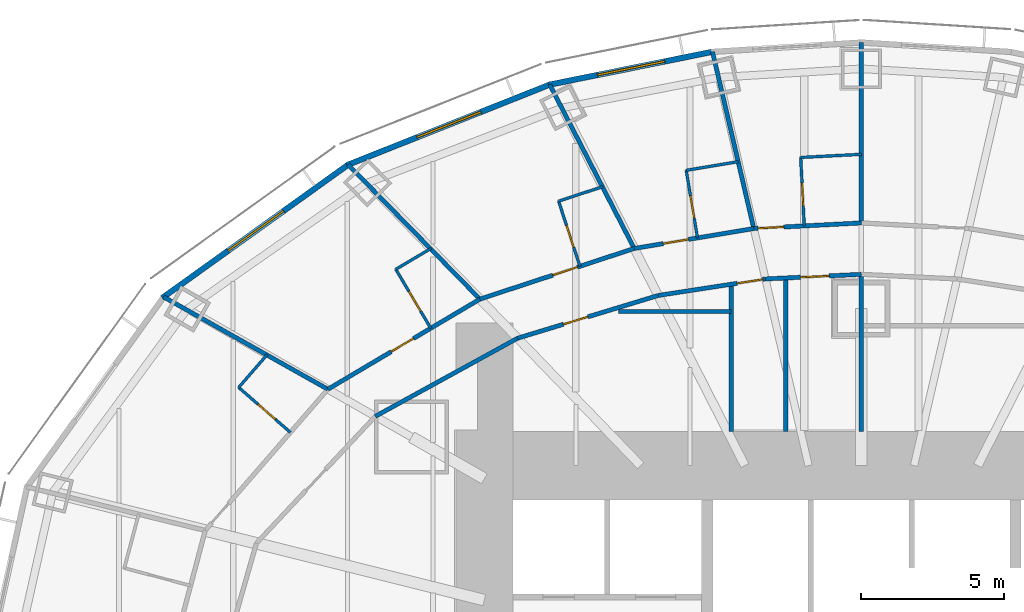
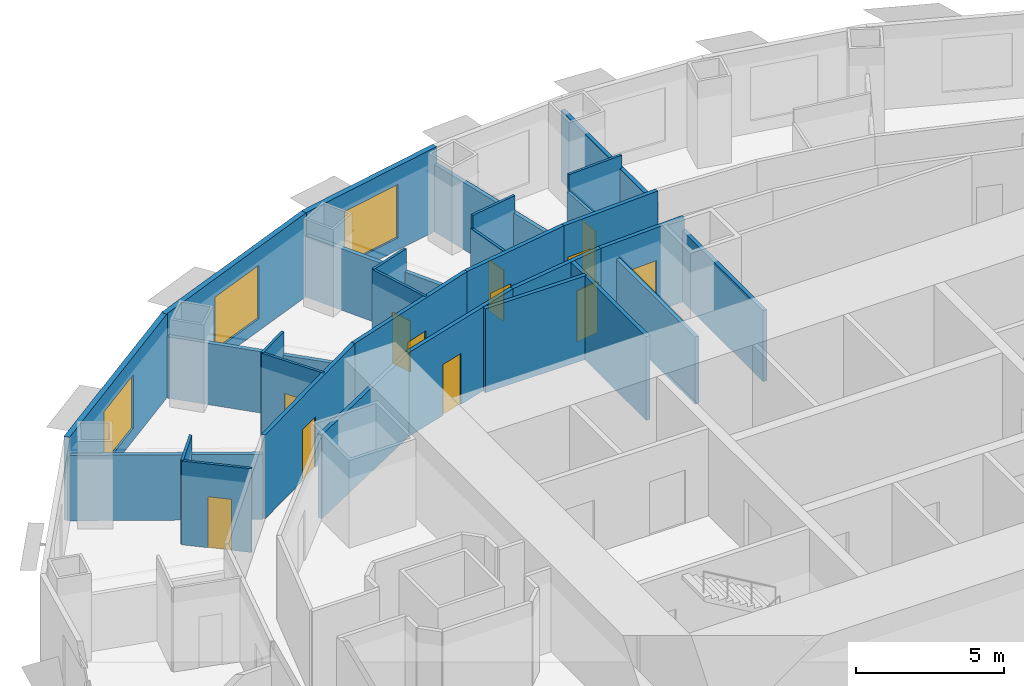
# One storey, part 9 of 15: 30 walls, 12 doors, 3 windows, 15 openings.
"""IFC4 building model written with IfcOpenShell, lengths in metres."""

from ifc_helpers import new_model, si_unit, direction, frame, frame_2d, origin, place, context, subcontext, project, spatial, rectangle, extrude, material, layer, layer_set, type_object, element, fill, save


model = new_model("IFC4")

# Units and contexts
model_context = context("Model", 3, precision=1e-05, world=origin(), true_north=direction((0.0, 1.0)))
body_context = subcontext(model_context, "Body", "Model", "MODEL_VIEW")
ifc_project = project(units=[si_unit("LENGTHUNIT", "METRE"), si_unit("AREAUNIT", "SQUARE_METRE"), si_unit("VOLUMEUNIT", "CUBIC_METRE"), si_unit("PLANEANGLEUNIT", "RADIAN"), si_unit("MASSUNIT", "GRAM", prefix="KILO")], contexts=[model_context])

# Site, building, storey
site_placement = place(None, origin())
site = spatial("IfcSite", under=ifc_project, at=site_placement, CompositionType="ELEMENT")
building_placement = place(site_placement, origin())
building = spatial("IfcBuilding", under=site, at=building_placement, Name="Lantaw Convention Tower", CompositionType="ELEMENT")
storey_placement = place(building_placement, frame((0.0, 0.0, 58.60009765625)))
storey = spatial("IfcBuildingStorey", under=building, at=storey_placement, Name="L12", CompositionType="ELEMENT", Elevation=58.60009765625)

# Walls
ifc_material_1 = material(Name="Gypsum board on steel studs", Category="steel")
ifc_layer_1 = layer(ifc_material_1, 0.14990234375)
ifc_layer_set_1 = layer_set([ifc_layer_1], Name="Back of house wall 150")
wall_type_1 = type_object("IfcWallType", Name="Back of house wall 150", PredefinedType="PARTITIONING", material=ifc_layer_set_1)
wall_1_placement = place(storey_placement, frame((0.0, 9.199951171875, 0.0), z_axis=(0.0, 0.0, 1.0), x_axis=(0.0, 1.0, 0.0)))
element("IfcWall", 1, at=wall_1_placement, inside=storey, type_object=wall_type_1, Name="Back of house wall 150", PredefinedType="PARTITIONING", context=body_context, shape_type="SweptSolid", body=[
    extrude(rectangle(XDim=5.5, YDim=0.14990234375, at=frame_2d((2.75, 0.0))), origin(), (0.0, 0.0, 1.0), 2.924072265625),
])
wall_2_placement = place(storey_placement, frame((-4.56005859375, 13.39990234375, 0.0), z_axis=(0.0, 0.0, 1.0), x_axis=(-1.0, 0.0, 0.0)))
element("IfcWall", 2, at=wall_2_placement, inside=storey, type_object=wall_type_1, Name="Back of house wall 150", PredefinedType="PARTITIONING", context=body_context, shape_type="SweptSolid", body=[
    extrude(rectangle(XDim=3.947509765625, YDim=0.14990234375, at=frame_2d((1.9736328125, 0.0))), origin(), (0.0, 0.0, 1.0), 3.449951171875),
])

# Wall, opening, door
ifc_material_2 = material(Name="Moisture resistant gypsum board on steel studs", Category="steel")
ifc_layer_2 = layer(ifc_material_2, 0.10009765625)
ifc_layer_set_2 = layer_set([ifc_layer_2], Name="Bathroom wall 100")
wall_type_2 = type_object("IfcWallType", Name="Bathroom wall 100", PredefinedType="PARTITIONING", material=ifc_layer_set_2)
wall_3_placement = place(storey_placement, frame((-1.997314453125, 16.39599609375, 0.0), z_axis=(0.0, 0.0, 1.0), x_axis=(-0.051982187452, 0.998648012158, 0.0)))
wall_3 = element("IfcWall", 3, at=wall_3_placement, inside=storey, type_object=wall_type_2, Name="Bathroom wall 100", PredefinedType="PARTITIONING", context=body_context, shape_type="SweptSolid", body=[
    extrude(rectangle(XDim=2.39990234375, YDim=0.10009765625, at=frame_2d((1.199951171875, 0.0))), origin(), (0.0, 0.0, 1.0), 2.748779296875),
])
opening_1_placement = place(wall_3_placement, frame((0.699951171875, 0.0, 0.0)))
opening_1 = element("IfcOpeningElement", 4, at=opening_1_placement, cuts=wall_3, Name="Opening L12.31", PredefinedType="OPENING", context=body_context, shape_type="SweptSolid", body=[
    extrude(rectangle(XDim=0.800048828125, YDim=2.10009765625, at=frame_2d((0.39990234375, 1.050048828125))), frame((0.0, 0.06005859375, 0.0), z_axis=(0.0, -1.0, 0.0), x_axis=(1.0, 0.0, 0.0)), (0.0, 0.0, 1.0), 0.1201171875),
])
ifc_material_3 = material(Name="Timber", Category="wood")
door_type_1 = type_object("IfcDoorType", Name="Bathroom door 800", OperationType="SINGLE_SWING_LEFT", PredefinedType="DOOR", material=ifc_material_3)
door_1_placement = place(opening_1_placement, origin())
door_1 = element("IfcDoor", 5, at=door_1_placement, inside=storey, type_object=door_type_1, Name="Bathroom door", OperationType="SINGLE_SWING_LEFT", OverallHeight=2.10009765625, OverallWidth=0.800048828125, PredefinedType="DOOR", context=body_context, shape_type="SweptSolid", body=[
    extrude(rectangle(XDim=0.800048828125, YDim=2.10009765625, at=frame_2d((0.39990234375, 1.050048828125))), frame((0.0, 0.02490234375, 0.0), z_axis=(0.0, -1.0, 0.0), x_axis=(1.0, 0.0, 0.0)), (0.0, 0.0, 1.0), 0.050048828125),
])
fill(opening_1, door_1)

# Wall
wall_4_placement = place(storey_placement, frame((-2.1220703125, 18.792724609375, 0.0), z_axis=(0.0, 0.0, 1.0), x_axis=(0.998644675281, 0.052046253785, 0.0)))
element("IfcWall", 6, at=wall_4_placement, inside=storey, type_object=wall_type_2, Name="Bathroom wall 100", PredefinedType="PARTITIONING", context=body_context, shape_type="SweptSolid", body=[
    extrude(rectangle(XDim=2.125, YDim=0.10009765625, at=frame_2d((1.0625, 0.0))), origin(), (0.0, 0.0, 1.0), 3.449951171875),
])

# Wall, opening, door
wall_5_placement = place(storey_placement, frame((-5.73681640625, 15.9755859375, 0.0), z_axis=(0.0, 0.0, 1.0), x_axis=(-0.164283516215, 0.986413162067, 0.0)))
wall_5 = element("IfcWall", 7, at=wall_5_placement, inside=storey, type_object=wall_type_2, Name="Bathroom wall 100", PredefinedType="PARTITIONING", context=body_context, shape_type="SweptSolid", body=[
    extrude(rectangle(XDim=2.400146484375, YDim=0.10009765625, at=frame_2d((1.2001953125, 0.0))), origin(), (0.0, 0.0, 1.0), 2.9140625),
])
opening_2_placement = place(wall_5_placement, frame((0.699951171875, 0.0, 0.0)))
opening_2 = element("IfcOpeningElement", 8, at=opening_2_placement, cuts=wall_5, Name="Opening L12.33", PredefinedType="OPENING", context=body_context, shape_type="SweptSolid", body=[
    extrude(rectangle(XDim=0.800048828125, YDim=2.10009765625, at=frame_2d((0.39990234375, 1.050048828125))), frame((0.0, 0.06005859375, 0.0), z_axis=(0.0, -1.0, 0.0), x_axis=(1.0, 0.0, 0.0)), (0.0, 0.0, 1.0), 0.1201171875),
])
door_2_placement = place(opening_2_placement, origin())
door_2 = element("IfcDoor", 9, at=door_2_placement, inside=storey, type_object=door_type_1, Name="Bathroom door", OperationType="SINGLE_SWING_LEFT", OverallHeight=2.10009765625, OverallWidth=0.800048828125, PredefinedType="DOOR", context=body_context, shape_type="SweptSolid", body=[
    extrude(rectangle(XDim=0.800048828125, YDim=2.10009765625, at=frame_2d((0.39990234375, 1.050048828125))), frame((0.0, 0.02490234375, 0.0), z_axis=(0.0, -1.0, 0.0), x_axis=(1.0, 0.0, 0.0)), (0.0, 0.0, 1.0), 0.050048828125),
])
fill(opening_2, door_2)

# Wall
wall_6_placement = place(storey_placement, frame((-6.131103515625, 18.343017578125, 0.0), z_axis=(0.0, 0.0, 1.0), x_axis=(0.986429542706, 0.164185131106, 0.0)))
element("IfcWall", 10, at=wall_6_placement, inside=storey, type_object=wall_type_2, Name="Bathroom wall 100", PredefinedType="PARTITIONING", context=body_context, shape_type="SweptSolid", body=[
    extrude(rectangle(XDim=1.851318359375, YDim=0.10009765625, at=frame_2d((0.92578125, 0.0))), origin(), (0.0, 0.0, 1.0), 3.449951171875),
])

# Wall, opening, door
wall_7_placement = place(storey_placement, frame((-9.852294921875, 14.98291015625, 0.0), z_axis=(0.0, 0.0, 1.0), x_axis=(-0.311890952591, 0.950117905153, 0.0)))
wall_7 = element("IfcWall", 11, at=wall_7_placement, inside=storey, type_object=wall_type_2, Name="Bathroom wall 100", PredefinedType="PARTITIONING", context=body_context, shape_type="SweptSolid", body=[
    extrude(rectangle(XDim=2.39990234375, YDim=0.10009765625, at=frame_2d((1.199951171875, 0.0))), origin(), (0.0, 0.0, 1.0), 3.449951171875),
])
opening_3_placement = place(wall_7_placement, frame((0.699951171875, 0.0, 0.0)))
opening_3 = element("IfcOpeningElement", 12, at=opening_3_placement, cuts=wall_7, Name="Opening L12.35", PredefinedType="OPENING", context=body_context, shape_type="SweptSolid", body=[
    extrude(rectangle(XDim=0.800048828125, YDim=2.10009765625, at=frame_2d((0.39990234375, 1.050048828125))), frame((0.0, 0.06005859375, 0.0), z_axis=(0.0, -1.0, 0.0), x_axis=(1.0, 0.0, 0.0)), (0.0, 0.0, 1.0), 0.1201171875),
])
door_3_placement = place(opening_3_placement, origin())
door_3 = element("IfcDoor", 13, at=door_3_placement, inside=storey, type_object=door_type_1, Name="Bathroom door", OperationType="SINGLE_SWING_LEFT", OverallHeight=2.10009765625, OverallWidth=0.800048828125, PredefinedType="DOOR", context=body_context, shape_type="SweptSolid", body=[
    extrude(rectangle(XDim=0.800048828125, YDim=2.10009765625, at=frame_2d((0.39990234375, 1.050048828125))), frame((0.0, 0.02490234375, 0.0), z_axis=(0.0, -1.0, 0.0), x_axis=(1.0, 0.0, 0.0)), (0.0, 0.0, 1.0), 0.050048828125),
])
fill(opening_3, door_3)

# Wall
wall_8_placement = place(storey_placement, frame((-10.600830078125, 17.26318359375, 0.0), z_axis=(0.0, 0.0, 1.0), x_axis=(0.950113706819, 0.311903741746, 0.0)))
element("IfcWall", 14, at=wall_8_placement, inside=storey, type_object=wall_type_2, Name="Bathroom wall 100", PredefinedType="PARTITIONING", context=body_context, shape_type="SweptSolid", body=[
    extrude(rectangle(XDim=1.62744140625, YDim=0.10009765625, at=frame_2d((0.813720703125, 0.0))), origin(), (0.0, 0.0, 1.0), 3.449951171875),
])

# Wall, opening, door
wall_9_placement = place(storey_placement, frame((-15.07763671875, 12.81201171875, 0.0), z_axis=(0.0, 0.0, 1.0), x_axis=(-0.510075642074, 0.860129548012, 0.0)))
wall_9 = element("IfcWall", 15, at=wall_9_placement, inside=storey, type_object=wall_type_2, Name="Bathroom wall 100", PredefinedType="PARTITIONING", context=body_context, shape_type="SweptSolid", body=[
    extrude(rectangle(XDim=2.39990234375, YDim=0.10009765625, at=frame_2d((1.199951171875, 0.0))), origin(), (0.0, 0.0, 1.0), 3.449951171875),
])
opening_4_placement = place(wall_9_placement, frame((0.699951171875, 0.0, 0.0)))
opening_4 = element("IfcOpeningElement", 16, at=opening_4_placement, cuts=wall_9, Name="Opening L12.37", PredefinedType="OPENING", context=body_context, shape_type="SweptSolid", body=[
    extrude(rectangle(XDim=0.800048828125, YDim=2.10009765625, at=frame_2d((0.39990234375, 1.050048828125))), frame((0.0, 0.06005859375, 0.0), z_axis=(0.0, -1.0, 0.0), x_axis=(1.0, 0.0, 0.0)), (0.0, 0.0, 1.0), 0.1201171875),
])
door_4_placement = place(opening_4_placement, origin())
door_4 = element("IfcDoor", 17, at=door_4_placement, inside=storey, type_object=door_type_1, Name="Bathroom door", OperationType="SINGLE_SWING_LEFT", OverallHeight=2.10009765625, OverallWidth=0.800048828125, PredefinedType="DOOR", context=body_context, shape_type="SweptSolid", body=[
    extrude(rectangle(XDim=0.800048828125, YDim=2.10009765625, at=frame_2d((0.39990234375, 1.050048828125))), frame((0.0, 0.02490234375, 0.0), z_axis=(0.0, -1.0, 0.0), x_axis=(1.0, 0.0, 0.0)), (0.0, 0.0, 1.0), 0.050048828125),
])
fill(opening_4, door_4)

# Wall
wall_10_placement = place(storey_placement, frame((-16.3017578125, 14.876220703125, 0.0), z_axis=(0.0, 0.0, 1.0), x_axis=(0.8601307696, 0.510073582131, 0.0)))
element("IfcWall", 18, at=wall_10_placement, inside=storey, type_object=wall_type_2, Name="Bathroom wall 100", PredefinedType="PARTITIONING", context=body_context, shape_type="SweptSolid", body=[
    extrude(rectangle(XDim=1.43115234375, YDim=0.10009765625, at=frame_2d((0.715576171875, 0.0))), origin(), (0.0, 0.0, 1.0), 3.449951171875),
])

# Wall, opening, door
wall_11_placement = place(storey_placement, frame((-19.99267578125, 9.164794921875, 0.0), z_axis=(0.0, 0.0, 1.0), x_axis=(-0.755098052661, 0.655611875172, 0.0)))
wall_11 = element("IfcWall", 19, at=wall_11_placement, inside=storey, type_object=wall_type_2, Name="Bathroom wall 100", PredefinedType="PARTITIONING", context=body_context, shape_type="SweptSolid", body=[
    extrude(rectangle(XDim=2.400146484375, YDim=0.10009765625, at=frame_2d((1.2001953125, 0.0))), origin(), (0.0, 0.0, 1.0), 3.449951171875),
])
opening_5_placement = place(wall_11_placement, frame((0.699951171875, 0.0, 0.0)))
opening_5 = element("IfcOpeningElement", 20, at=opening_5_placement, cuts=wall_11, Name="Opening L12.39", PredefinedType="OPENING", context=body_context, shape_type="SweptSolid", body=[
    extrude(rectangle(XDim=0.800048828125, YDim=2.10009765625, at=frame_2d((0.39990234375, 1.050048828125))), frame((0.0, 0.06005859375, 0.0), z_axis=(0.0, -1.0, 0.0), x_axis=(1.0, 0.0, 0.0)), (0.0, 0.0, 1.0), 0.1201171875),
])
door_5_placement = place(opening_5_placement, origin())
door_5 = element("IfcDoor", 21, at=door_5_placement, inside=storey, type_object=door_type_1, Name="Bathroom door", OperationType="SINGLE_SWING_LEFT", OverallHeight=2.10009765625, OverallWidth=0.800048828125, PredefinedType="DOOR", context=body_context, shape_type="SweptSolid", body=[
    extrude(rectangle(XDim=0.800048828125, YDim=2.10009765625, at=frame_2d((0.39990234375, 1.050048828125))), frame((0.0, 0.02490234375, 0.0), z_axis=(0.0, -1.0, 0.0), x_axis=(1.0, 0.0, 0.0)), (0.0, 0.0, 1.0), 0.050048828125),
])
fill(opening_5, door_5)

# Wall
wall_12_placement = place(storey_placement, frame((-21.804931640625, 10.73828125, 0.0), z_axis=(0.0, 0.0, 1.0), x_axis=(0.655528024617, 0.755170847518, 0.0)))
element("IfcWall", 22, at=wall_12_placement, inside=storey, type_object=wall_type_2, Name="Bathroom wall 100", PredefinedType="PARTITIONING", context=body_context, shape_type="SweptSolid", body=[
    extrude(rectangle(XDim=1.52392578125, YDim=0.10009765625, at=frame_2d((0.761962890625, 0.0))), origin(), (0.0, 0.0, 1.0), 3.449951171875),
])

# Wall, opening, door
ifc_material_4 = material(Name="Gypsum board on steel studs, fire rated", Category="steel")
ifc_layer_3 = layer(ifc_material_4, 0.14990234375)
ifc_layer_set_3 = layer_set([ifc_layer_3], Name="Corridor wall 150 EI 60")
wall_type_3 = type_object("IfcWallType", Name="Corridor wall 150 EI 60", PredefinedType="PARTITIONING", material=ifc_layer_set_3)
wall_13_placement = place(storey_placement, frame((0.0, 16.5, 0.0), z_axis=(0.0, 0.0, 1.0), x_axis=(-0.998649848759, -0.05194689186, 0.0)))
wall_13 = element("IfcWall", 23, at=wall_13_placement, inside=storey, type_object=wall_type_3, Name="Corridor wall 150", PredefinedType="PARTITIONING", context=body_context, shape_type="SweptSolid", body=[
    extrude(rectangle(XDim=3.769287109375, YDim=0.14990234375, at=frame_2d((1.884765625, 0.0))), origin(), (0.0, 0.0, 1.0), 3.449951171875),
])
opening_6_placement = place(wall_13_placement, frame((2.71923828125, 0.0, 0.0)))
opening_6 = element("IfcOpeningElement", 24, at=opening_6_placement, cuts=wall_13, Name="Opening L12.32", PredefinedType="OPENING", context=body_context, shape_type="SweptSolid", body=[
    extrude(rectangle(XDim=0.89990234375, YDim=2.10009765625, at=frame_2d((0.449951171875, 1.050048828125))), frame((0.0, 0.0849609375, 0.0), z_axis=(0.0, -1.0, 0.0), x_axis=(1.0, 0.0, 0.0)), (0.0, 0.0, 1.0), 0.169921875),
])
ifc_material_5 = material(Name="Steel, fire rated", Category="steel")
door_type_2 = type_object("IfcDoorType", Name="Guest room entrance door FD30S", OperationType="SINGLE_SWING_LEFT", PredefinedType="DOOR", material=ifc_material_5)
door_6_placement = place(opening_6_placement, origin())
door_6 = element("IfcDoor", 25, at=door_6_placement, inside=storey, type_object=door_type_2, Name="Guest room entrance door", OperationType="SINGLE_SWING_LEFT", OverallHeight=2.10009765625, OverallWidth=0.89990234375, PredefinedType="DOOR", context=body_context, shape_type="SweptSolid", body=[
    extrude(rectangle(XDim=0.89990234375, YDim=2.10009765625, at=frame_2d((0.449951171875, 1.050048828125))), frame((0.0, 0.02490234375, 0.0), z_axis=(0.0, -1.0, 0.0), x_axis=(1.0, 0.0, 0.0)), (0.0, 0.0, 1.0), 0.050048828125),
])
fill(opening_6, door_6)

wall_14_placement = place(storey_placement, frame((-3.76416015625, 16.30419921875, 0.0), z_axis=(0.0, 0.0, 1.0), x_axis=(-0.98641101506, -0.164296407044, 0.0)))
wall_14 = element("IfcWall", 26, at=wall_14_placement, inside=storey, type_object=wall_type_3, Name="Corridor wall 150", PredefinedType="PARTITIONING", context=body_context, shape_type="SweptSolid", body=[
    extrude(rectangle(XDim=4.245361328125, YDim=0.14990234375, at=frame_2d((2.12255859375, 0.0))), origin(), (0.0, 0.0, 1.0), 3.449951171875),
])
opening_7_placement = place(wall_14_placement, frame((2.319091796875, 0.0, 0.0)))
opening_7 = element("IfcOpeningElement", 27, at=opening_7_placement, cuts=wall_14, Name="Opening L12.34", PredefinedType="OPENING", context=body_context, shape_type="SweptSolid", body=[
    extrude(rectangle(XDim=0.89990234375, YDim=2.10009765625, at=frame_2d((0.449951171875, 1.050048828125))), frame((0.0, 0.0849609375, 0.0), z_axis=(0.0, -1.0, 0.0), x_axis=(1.0, 0.0, 0.0)), (0.0, 0.0, 1.0), 0.169921875),
])
door_7_placement = place(opening_7_placement, origin())
door_7 = element("IfcDoor", 28, at=door_7_placement, inside=storey, type_object=door_type_2, Name="Guest room entrance door", OperationType="SINGLE_SWING_LEFT", OverallHeight=2.10009765625, OverallWidth=0.89990234375, PredefinedType="DOOR", context=body_context, shape_type="SweptSolid", body=[
    extrude(rectangle(XDim=0.89990234375, YDim=2.10009765625, at=frame_2d((0.449951171875, 1.050048828125))), frame((0.0, 0.02490234375, 0.0), z_axis=(0.0, -1.0, 0.0), x_axis=(1.0, 0.0, 0.0)), (0.0, 0.0, 1.0), 0.050048828125),
])
fill(opening_7, door_7)

wall_15_placement = place(storey_placement, frame((-7.951904296875, 15.606689453125, 0.0), z_axis=(0.0, 0.0, 1.0), x_axis=(-0.950106803111, -0.311924770869, 0.0)))
wall_15 = element("IfcWall", 29, at=wall_15_placement, inside=storey, type_object=wall_type_3, Name="Corridor wall 150", PredefinedType="PARTITIONING", context=body_context, shape_type="SweptSolid", body=[
    extrude(rectangle(XDim=5.689453125, YDim=0.14990234375, at=frame_2d((2.8447265625, 0.0))), origin(), (0.0, 0.0, 1.0), 3.449951171875),
])
opening_8_placement = place(wall_15_placement, frame((2.10009765625, 0.0, 0.0)))
opening_8 = element("IfcOpeningElement", 30, at=opening_8_placement, cuts=wall_15, Name="Opening L12.36", PredefinedType="OPENING", context=body_context, shape_type="SweptSolid", body=[
    extrude(rectangle(XDim=0.89990234375, YDim=2.10009765625, at=frame_2d((0.449951171875, 1.050048828125))), frame((0.0, 0.0849609375, 0.0), z_axis=(0.0, -1.0, 0.0), x_axis=(1.0, 0.0, 0.0)), (0.0, 0.0, 1.0), 0.169921875),
])
door_8_placement = place(opening_8_placement, origin())
door_8 = element("IfcDoor", 31, at=door_8_placement, inside=storey, type_object=door_type_2, Name="Guest room entrance door", OperationType="SINGLE_SWING_LEFT", OverallHeight=2.10009765625, OverallWidth=0.89990234375, PredefinedType="DOOR", context=body_context, shape_type="SweptSolid", body=[
    extrude(rectangle(XDim=0.89990234375, YDim=2.10009765625, at=frame_2d((0.449951171875, 1.050048828125))), frame((0.0, 0.02490234375, 0.0), z_axis=(0.0, -1.0, 0.0), x_axis=(1.0, 0.0, 0.0)), (0.0, 0.0, 1.0), 0.050048828125),
])
fill(opening_8, door_8)

wall_16_placement = place(storey_placement, frame((-13.357421875, 13.83203125, 0.0), z_axis=(0.0, 0.0, 1.0), x_axis=(-0.860147339762, -0.510045639036, 0.0)))
wall_16 = element("IfcWall", 32, at=wall_16_placement, inside=storey, type_object=wall_type_3, Name="Corridor wall 150", PredefinedType="PARTITIONING", context=body_context, shape_type="SweptSolid", body=[
    extrude(rectangle(XDim=6.189697265625, YDim=0.14990234375, at=frame_2d((3.0947265625, 0.0))), origin(), (0.0, 0.0, 1.0), 3.449951171875),
])
opening_9_placement = place(wall_16_placement, frame((2.7080078125, 0.0, 0.0)))
opening_9 = element("IfcOpeningElement", 33, at=opening_9_placement, cuts=wall_16, Name="Opening L12.38", PredefinedType="OPENING", context=body_context, shape_type="SweptSolid", body=[
    extrude(rectangle(XDim=0.89990234375, YDim=2.10009765625, at=frame_2d((0.449951171875, 1.050048828125))), frame((0.0, 0.0849609375, 0.0), z_axis=(0.0, -1.0, 0.0), x_axis=(1.0, 0.0, 0.0)), (0.0, 0.0, 1.0), 0.169921875),
])
door_9_placement = place(opening_9_placement, origin())
door_9 = element("IfcDoor", 34, at=door_9_placement, inside=storey, type_object=door_type_2, Name="Guest room entrance door", OperationType="SINGLE_SWING_LEFT", OverallHeight=2.10009765625, OverallWidth=0.89990234375, PredefinedType="DOOR", context=body_context, shape_type="SweptSolid", body=[
    extrude(rectangle(XDim=0.89990234375, YDim=2.10009765625, at=frame_2d((0.449951171875, 1.050048828125))), frame((0.0, 0.02490234375, 0.0), z_axis=(0.0, -1.0, 0.0), x_axis=(1.0, 0.0, 0.0)), (0.0, 0.0, 1.0), 0.050048828125),
])
fill(opening_9, door_9)

wall_17_placement = place(storey_placement, frame((0.0, 14.699951171875, 0.0), z_axis=(0.0, 0.0, 1.0), x_axis=(-0.998842682549, -0.048096730859, 0.0)))
wall_17 = element("IfcWall", 35, at=wall_17_placement, inside=storey, type_object=wall_type_3, Name="Corridor wall 150", PredefinedType="PARTITIONING", context=body_context, shape_type="SweptSolid", body=[
    extrude(rectangle(XDim=3.3603515625, YDim=0.14990234375, at=frame_2d((1.68017578125, 0.0))), origin(), (0.0, 0.0, 1.0), 3.449951171875),
])
opening_10_placement = place(wall_17_placement, frame((1.125244140625, 0.0, 0.0)))
opening_10 = element("IfcOpeningElement", 36, at=opening_10_placement, cuts=wall_17, Name="Opening L12.17", PredefinedType="OPENING", context=body_context, shape_type="SweptSolid", body=[
    extrude(rectangle(XDim=1.0, YDim=2.10009765625, at=frame_2d((0.5, 1.050048828125))), frame((0.0, 0.0849609375, 0.0), z_axis=(0.0, -1.0, 0.0), x_axis=(1.0, 0.0, 0.0)), (0.0, 0.0, 1.0), 0.169921875),
])
door_type_3 = type_object("IfcDoorType", Name="Accessible WC door 1000 FD30", OperationType="SINGLE_SWING_LEFT", PredefinedType="DOOR", material=ifc_material_5)
door_10_placement = place(opening_10_placement, origin())
door_10 = element("IfcDoor", 37, at=door_10_placement, inside=storey, type_object=door_type_3, Name="Accessible WC door", OperationType="SINGLE_SWING_LEFT", OverallHeight=2.10009765625, OverallWidth=1.0, PredefinedType="DOOR", context=body_context, shape_type="SweptSolid", body=[
    extrude(rectangle(XDim=1.0, YDim=2.10009765625, at=frame_2d((0.5, 1.050048828125))), frame((0.0, 0.02490234375, 0.0), z_axis=(0.0, -1.0, 0.0), x_axis=(1.0, 0.0, 0.0)), (0.0, 0.0, 1.0), 0.050048828125),
])
fill(opening_10, door_10)

wall_18_placement = place(storey_placement, frame((-3.3564453125, 14.538330078125, 0.0), z_axis=(0.0, 0.0, 1.0), x_axis=(-0.988343461108, -0.152240608529, 0.0)))
wall_18 = element("IfcWall", 38, at=wall_18_placement, inside=storey, type_object=wall_type_3, Name="Corridor wall 150", PredefinedType="PARTITIONING", context=body_context, shape_type="SweptSolid", body=[
    extrude(rectangle(XDim=3.800537109375, YDim=0.14990234375, at=frame_2d((1.900390625, 0.0))), origin(), (0.0, 0.0, 1.0), 3.449951171875),
])
opening_11_placement = place(wall_18_placement, frame((0.10009765625, 0.0, 0.0)))
opening_11 = element("IfcOpeningElement", 39, at=opening_11_placement, cuts=wall_18, Name="Opening L12.18", PredefinedType="OPENING", context=body_context, shape_type="SweptSolid", body=[
    extrude(rectangle(XDim=0.89990234375, YDim=2.10009765625, at=frame_2d((0.449951171875, 1.050048828125))), frame((0.0, 0.0849609375, 0.0), z_axis=(0.0, -1.0, 0.0), x_axis=(1.0, 0.0, 0.0)), (0.0, 0.0, 1.0), 0.169921875),
])
door_type_4 = type_object("IfcDoorType", Name="WC door 900 FD30", OperationType="SINGLE_SWING_LEFT", PredefinedType="DOOR", material=ifc_material_5)
door_11_placement = place(opening_11_placement, origin())
door_11 = element("IfcDoor", 40, at=door_11_placement, inside=storey, type_object=door_type_4, Name="Staff WC door", OperationType="SINGLE_SWING_LEFT", OverallHeight=2.10009765625, OverallWidth=0.89990234375, PredefinedType="DOOR", context=body_context, shape_type="SweptSolid", body=[
    extrude(rectangle(XDim=0.89990234375, YDim=2.10009765625, at=frame_2d((0.449951171875, 1.050048828125))), frame((0.0, 0.02490234375, 0.0), z_axis=(0.0, -1.0, 0.0), x_axis=(1.0, 0.0, 0.0)), (0.0, 0.0, 1.0), 0.050048828125),
])
fill(opening_11, door_11)

wall_19_placement = place(storey_placement, frame((-7.11279296875, 13.959716796875, 0.0), z_axis=(0.0, 0.0, 1.0), x_axis=(-0.956795045135, -0.290763205385, 0.0)))
wall_19 = element("IfcWall", 41, at=wall_19_placement, inside=storey, type_object=wall_type_3, Name="Corridor wall 150", PredefinedType="PARTITIONING", context=body_context, shape_type="SweptSolid", body=[
    extrude(rectangle(XDim=5.1455078125, YDim=0.14990234375, at=frame_2d((2.57275390625, 0.0))), origin(), (0.0, 0.0, 1.0), 3.449951171875),
])
opening_12_placement = place(wall_19_placement, frame((2.5693359375, 0.0, 0.0)))
opening_12 = element("IfcOpeningElement", 42, at=opening_12_placement, cuts=wall_19, Name="Opening L12.19", PredefinedType="OPENING", context=body_context, shape_type="SweptSolid", body=[
    extrude(rectangle(XDim=0.89990234375, YDim=2.10009765625, at=frame_2d((0.449951171875, 1.050048828125))), frame((0.0, 0.0849609375, 0.0), z_axis=(0.0, -1.0, 0.0), x_axis=(1.0, 0.0, 0.0)), (0.0, 0.0, 1.0), 0.169921875),
])
door_type_5 = type_object("IfcDoorType", Name="Service door 900 FD30", OperationType="SINGLE_SWING_LEFT", PredefinedType="DOOR", material=ifc_material_5)
door_12_placement = place(opening_12_placement, origin())
door_12 = element("IfcDoor", 43, at=door_12_placement, inside=storey, type_object=door_type_5, Name="Housekeeping store door", OperationType="SINGLE_SWING_LEFT", OverallHeight=2.10009765625, OverallWidth=0.89990234375, PredefinedType="DOOR", context=body_context, shape_type="SweptSolid", body=[
    extrude(rectangle(XDim=0.89990234375, YDim=2.10009765625, at=frame_2d((0.449951171875, 1.050048828125))), frame((0.0, 0.02490234375, 0.0), z_axis=(0.0, -1.0, 0.0), x_axis=(1.0, 0.0, 0.0)), (0.0, 0.0, 1.0), 0.050048828125),
])
fill(opening_12, door_12)

# Wall
wall_20_placement = place(storey_placement, frame((-12.035888671875, 12.463623046875, 0.0), z_axis=(0.0, 0.0, 1.0), x_axis=(-0.876522084062, -0.481361647986, 0.0)))
element("IfcWall", 44, at=wall_20_placement, inside=storey, type_object=wall_type_3, Name="Corridor wall 150", PredefinedType="PARTITIONING", context=body_context, shape_type="SweptSolid", body=[
    extrude(rectangle(XDim=5.68701171875, YDim=0.14990234375, at=frame_2d((2.843505859375, 0.0))), origin(), (0.0, 0.0, 1.0), 3.449951171875),
])

# Wall, opening, window
ifc_material_6 = material(Name="Insulated aluminium panel on steel frame", Category="steel")
ifc_layer_4 = layer(ifc_material_6, 0.199951171875)
ifc_layer_set_4 = layer_set([ifc_layer_4], Name="External wall 200")
wall_type_4 = type_object("IfcWallType", Name="External wall 200", PredefinedType="SOLIDWALL", material=ifc_layer_set_4)
wall_21_placement = place(storey_placement, frame((-5.169677734375, 22.504150390625, 0.0), z_axis=(0.0, 0.0, 1.0), x_axis=(-0.980251657452, -0.197754110105, 0.0)))
wall_21 = element("IfcWall", 45, at=wall_21_placement, inside=storey, type_object=wall_type_4, Name="Facade panel wall", PredefinedType="SOLIDWALL", context=body_context, shape_type="SweptSolid", body=[
    extrude(rectangle(XDim=5.90380859375, YDim=0.199951171875, at=frame_2d((2.951904296875, 0.0))), origin(), (0.0, 0.0, 1.0), 3.449951171875),
])
opening_13_placement = place(wall_21_placement, frame((1.751708984375, 0.0, 0.5)))
opening_13 = element("IfcOpeningElement", 46, at=opening_13_placement, cuts=wall_21, Name="Opening W1", PredefinedType="OPENING", context=body_context, shape_type="SweptSolid", body=[
    extrude(rectangle(XDim=2.39990234375, YDim=2.199951171875, at=frame_2d((1.199951171875, 1.10009765625))), frame((0.0, 0.10986328125, 0.0), z_axis=(0.0, -1.0, 0.0), x_axis=(1.0, 0.0, 0.0)), (0.0, 0.0, 1.0), 0.219970703125),
])
ifc_material_7 = material(Name="Aluminium frame, clear insulating glass", Category="aluminium")
window_type = type_object("IfcWindowType", Name="Guest room window 2400x2200", PartitioningType="SINGLE_PANEL", PredefinedType="WINDOW", material=ifc_material_7)
window_1_placement = place(opening_13_placement, origin())
window_1 = element("IfcWindow", 47, at=window_1_placement, inside=storey, type_object=window_type, Name="Guest room window", OverallHeight=2.199951171875, OverallWidth=2.39990234375, PartitioningType="SINGLE_PANEL", PredefinedType="WINDOW", context=body_context, shape_type="SweptSolid", body=[
    extrude(rectangle(XDim=2.39990234375, YDim=2.199951171875, at=frame_2d((1.199951171875, 1.10009765625))), frame((0.0, 0.030029296875, 0.0), z_axis=(0.0, -1.0, 0.0), x_axis=(1.0, 0.0, 0.0)), (0.0, 0.0, 1.0), 0.06005859375),
])
fill(opening_13, window_1)

wall_22_placement = place(storey_placement, frame((-10.869384765625, 21.362548828125, 0.0), z_axis=(0.0, 0.0, 1.0), x_axis=(-0.929358351251, -0.369178892895, 0.0)))
wall_22 = element("IfcWall", 48, at=wall_22_placement, inside=storey, type_object=wall_type_4, Name="Facade panel wall", PredefinedType="SOLIDWALL", context=body_context, shape_type="SweptSolid", body=[
    extrude(rectangle(XDim=7.6923828125, YDim=0.199951171875, at=frame_2d((3.84619140625, 0.0))), origin(), (0.0, 0.0, 1.0), 3.449951171875),
])
opening_14_placement = place(wall_22_placement, frame((2.64599609375, 0.0, 0.5)))
opening_14 = element("IfcOpeningElement", 49, at=opening_14_placement, cuts=wall_22, Name="Opening W1", PredefinedType="OPENING", context=body_context, shape_type="SweptSolid", body=[
    extrude(rectangle(XDim=2.39990234375, YDim=2.199951171875, at=frame_2d((1.199951171875, 1.10009765625))), frame((0.0, 0.10986328125, 0.0), z_axis=(0.0, -1.0, 0.0), x_axis=(1.0, 0.0, 0.0)), (0.0, 0.0, 1.0), 0.219970703125),
])
window_2_placement = place(opening_14_placement, origin())
window_2 = element("IfcWindow", 50, at=window_2_placement, inside=storey, type_object=window_type, Name="Guest room window", OverallHeight=2.199951171875, OverallWidth=2.39990234375, PartitioningType="SINGLE_PANEL", PredefinedType="WINDOW", context=body_context, shape_type="SweptSolid", body=[
    extrude(rectangle(XDim=2.39990234375, YDim=2.199951171875, at=frame_2d((1.199951171875, 1.10009765625))), frame((0.0, 0.030029296875, 0.0), z_axis=(0.0, -1.0, 0.0), x_axis=(1.0, 0.0, 0.0)), (0.0, 0.0, 1.0), 0.06005859375),
])
fill(opening_14, window_2)

wall_23_placement = place(storey_placement, frame((-17.9287109375, 18.57177734375, 0.0), z_axis=(0.0, 0.0, 1.0), x_axis=(-0.812791321576, -0.582554948112, 0.0)))
wall_23 = element("IfcWall", 51, at=wall_23_placement, inside=storey, type_object=wall_type_4, Name="Facade panel wall", PredefinedType="SOLIDWALL", context=body_context, shape_type="SweptSolid", body=[
    extrude(rectangle(XDim=8.063232421875, YDim=0.199951171875, at=frame_2d((4.03173828125, 0.0))), origin(), (0.0, 0.0, 1.0), 3.449951171875),
])
opening_15_placement = place(wall_23_placement, frame((2.83154296875, 0.0, 0.5)))
opening_15 = element("IfcOpeningElement", 52, at=opening_15_placement, cuts=wall_23, Name="Opening W1", PredefinedType="OPENING", context=body_context, shape_type="SweptSolid", body=[
    extrude(rectangle(XDim=2.39990234375, YDim=2.199951171875, at=frame_2d((1.199951171875, 1.10009765625))), frame((0.0, 0.10986328125, 0.0), z_axis=(0.0, -1.0, 0.0), x_axis=(1.0, 0.0, 0.0)), (0.0, 0.0, 1.0), 0.219970703125),
])
window_3_placement = place(opening_15_placement, origin())
window_3 = element("IfcWindow", 53, at=window_3_placement, inside=storey, type_object=window_type, Name="Guest room window", OverallHeight=2.199951171875, OverallWidth=2.39990234375, PartitioningType="SINGLE_PANEL", PredefinedType="WINDOW", context=body_context, shape_type="SweptSolid", body=[
    extrude(rectangle(XDim=2.39990234375, YDim=2.199951171875, at=frame_2d((1.199951171875, 1.10009765625))), frame((0.0, 0.030029296875, 0.0), z_axis=(0.0, -1.0, 0.0), x_axis=(1.0, 0.0, 0.0)), (0.0, 0.0, 1.0), 0.06005859375),
])
fill(opening_15, window_3)

# Walls
ifc_material_8 = material(Name="Gypsum board on steel studs, acoustic", Category="steel")
ifc_layer_5 = layer(ifc_material_8, 0.14990234375)
ifc_layer_set_5 = layer_set([ifc_layer_5], Name="Guest room party wall 150")
wall_type_5 = type_object("IfcWallType", Name="Guest room party wall 150", PredefinedType="PARTITIONING", material=ifc_layer_set_5)
wall_24_placement = place(storey_placement, frame((0.0, 22.82470703125, 0.0), z_axis=(0.0, 0.0, 1.0), x_axis=(0.0, -1.0, 0.0)))
element("IfcWall", 54, at=wall_24_placement, inside=storey, type_object=wall_type_5, Name="Guest room party wall 150", PredefinedType="PARTITIONING", context=body_context, shape_type="SweptSolid", body=[
    extrude(rectangle(XDim=6.32470703125, YDim=0.14990234375, at=frame_2d((3.162353515625, 0.0))), origin(), (0.0, 0.0, 1.0), 2.924072265625),
])
wall_25_placement = place(storey_placement, frame((-5.2109375, 22.495849609375, 0.0), z_axis=(0.0, 0.0, 1.0), x_axis=(0.227536694087, -0.973769507042, 0.0)))
element("IfcWall", 55, at=wall_25_placement, inside=storey, type_object=wall_type_5, Name="Guest room party wall 150", PredefinedType="PARTITIONING", context=body_context, shape_type="SweptSolid", body=[
    extrude(rectangle(XDim=6.3583984375, YDim=0.14990234375, at=frame_2d((3.17919921875, 0.0))), origin(), (0.0, 0.0, 1.0), 2.7666015625),
])
wall_26_placement = place(storey_placement, frame((-10.911865234375, 21.345703125, 0.0), z_axis=(0.0, 0.0, 1.0), x_axis=(0.458384799126, -0.888753833145, 0.0)))
element("IfcWall", 56, at=wall_26_placement, inside=storey, type_object=wall_type_5, Name="Guest room party wall 150", PredefinedType="PARTITIONING", context=body_context, shape_type="SweptSolid", body=[
    extrude(rectangle(XDim=6.457275390625, YDim=0.14990234375, at=frame_2d((3.228515625, 0.0))), origin(), (0.0, 0.0, 1.0), 2.52783203125),
])
wall_27_placement = place(storey_placement, frame((-17.970458984375, 18.541748046875, 0.0), z_axis=(0.0, 0.0, 1.0), x_axis=(0.699736251994, -0.714401272147, 0.0)))
element("IfcWall", 57, at=wall_27_placement, inside=storey, type_object=wall_type_5, Name="Guest room party wall 150", PredefinedType="PARTITIONING", context=body_context, shape_type="SweptSolid", body=[
    extrude(rectangle(XDim=6.592529296875, YDim=0.14990234375, at=frame_2d((3.29638671875, 0.0))), origin(), (0.0, 0.0, 1.0), 2.52783203125),
])
wall_28_placement = place(storey_placement, frame((-24.434814453125, 13.90869140625, 0.0), z_axis=(0.0, 0.0, 1.0), x_axis=(0.871747379892, -0.489955616001, 0.0)))
element("IfcWall", 58, at=wall_28_placement, inside=storey, type_object=wall_type_5, Name="Guest room party wall 150", PredefinedType="PARTITIONING", context=body_context, shape_type="SweptSolid", body=[
    extrude(rectangle(XDim=6.599853515625, YDim=0.14990234375, at=frame_2d((3.2998046875, 0.0))), origin(), (0.0, 0.0, 1.0), 2.69287109375),
])
ifc_material_9 = material(Name="Concrete blockwork", Category="masonry")
ifc_layer_6 = layer(ifc_material_9, 0.14990234375)
ifc_layer_set_6 = layer_set([ifc_layer_6], Name="WC wall 150")
wall_type_6 = type_object("IfcWallType", Name="WC wall 150", PredefinedType="SOLIDWALL", material=ifc_layer_set_6)
wall_29_placement = place(storey_placement, frame((-2.64990234375, 9.199951171875, 0.0), z_axis=(0.0, 0.0, 1.0), x_axis=(0.0, 1.0, 0.0)))
element("IfcWall", 59, at=wall_29_placement, inside=storey, type_object=wall_type_6, Name="WC wall 150", PredefinedType="SOLIDWALL", context=body_context, shape_type="SweptSolid", body=[
    extrude(rectangle(XDim=5.37255859375, YDim=0.14990234375, at=frame_2d((2.686279296875, 0.0))), origin(), (0.0, 0.0, 1.0), 2.7666015625),
])
wall_30_placement = place(storey_placement, frame((-4.550048828125, 9.199951171875, 0.0), z_axis=(0.0, 0.0, 1.0), x_axis=(0.0, 1.0, 0.0)))
element("IfcWall", 60, at=wall_30_placement, inside=storey, type_object=wall_type_6, Name="WC wall 150", PredefinedType="SOLIDWALL", context=body_context, shape_type="SweptSolid", body=[
    extrude(rectangle(XDim=5.154541015625, YDim=0.14990234375, at=frame_2d((2.5771484375, 0.0))), origin(), (0.0, 0.0, 1.0), 3.449951171875),
])

save(model, "model.ifc")
